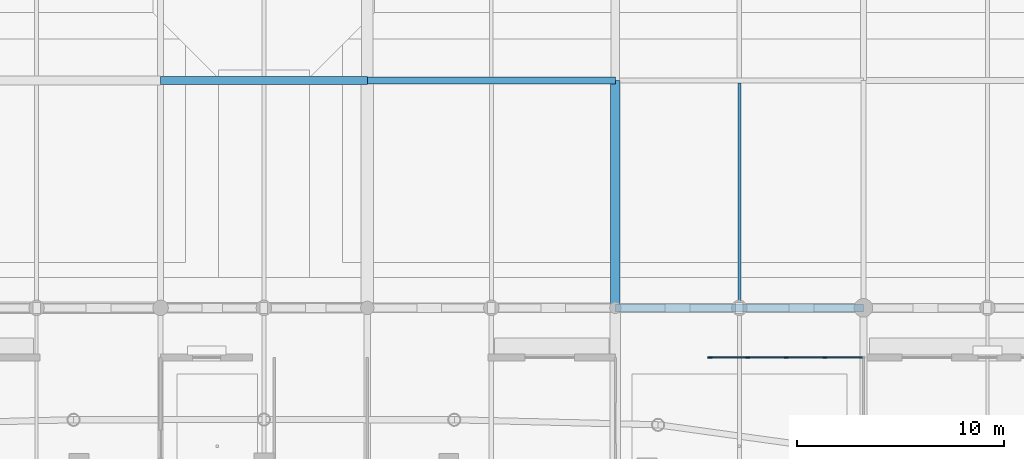
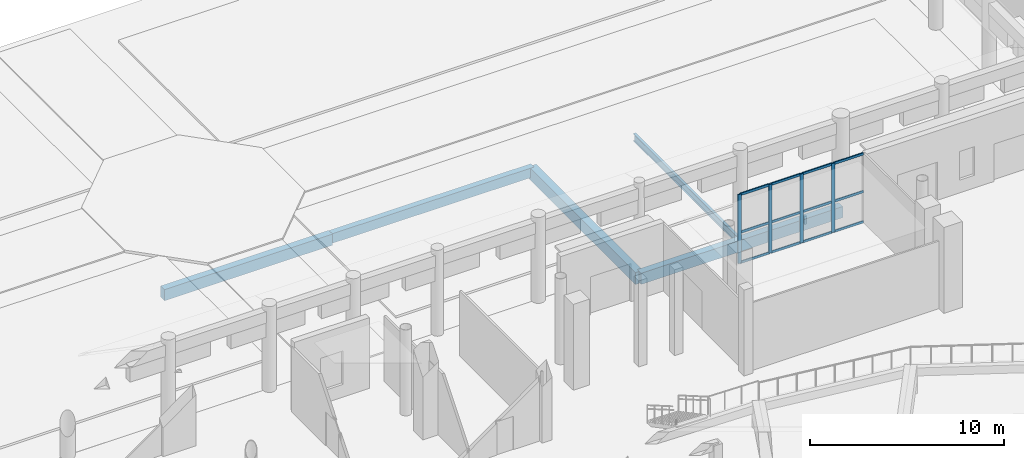
# One storey, part 29 of 120: 16 members, 5 beams, 1 element without a shape of its own.
"""IFC4 building model written with IfcOpenShell, lengths in metres."""

from ifc_helpers import new_model, si_unit, direction, frame, origin, origin_2d, place, context, subcontext, project, spatial, rectangle, i_section, extrude, material, material_profile, profile_set, type_object, element, aggregate, save


model = new_model("IFC4")

# Units and contexts
model_context = context("Model", 3, precision=1e-05, world=origin(), true_north=direction((0.0, 1.0)))
body_context = subcontext(model_context, "Body", "Model", "MODEL_VIEW")
ifc_project = project(units=[si_unit("LENGTHUNIT", "METRE"), si_unit("AREAUNIT", "SQUARE_METRE"), si_unit("VOLUMEUNIT", "CUBIC_METRE"), si_unit("PLANEANGLEUNIT", "RADIAN"), si_unit("MASSUNIT", "GRAM", prefix="KILO")], contexts=[model_context])

# Site, building, storey
site_placement = place(None, origin())
site = spatial("IfcSite", under=ifc_project, at=site_placement, CompositionType="ELEMENT")
building_placement = place(site_placement, origin())
building = spatial("IfcBuilding", under=site, at=building_placement, Name="Luwafu Chhajja Arena", CompositionType="ELEMENT")
storey_placement = place(building_placement, origin())
storey = spatial("IfcBuildingStorey", under=building, at=storey_placement, Name="L00", CompositionType="ELEMENT", Elevation=0.0)

# Beam
ifc_material_1 = material(Name="Concrete C35/45", Category="concrete")
ifc_material_profile_1 = material_profile(ifc_material_1, rectangle(XDim=0.35009765625, YDim=0.60009765625, at=origin_2d()), Name="RC 350x600")
ifc_profile_set_1 = profile_set([ifc_material_profile_1], Name="Concrete C35/45")
beam_type_1 = type_object("IfcBeamType", Name="Arcade Tie Beam RC 350x600", PredefinedType="BEAM", material=ifc_profile_set_1)
beam_1_placement = place(storey_placement, frame((104.0, 110.0, -0.64990234375), z_axis=(1.0, 0.0, 0.0), x_axis=(0.0, 1.0, 0.0)))
element("IfcBeam", 1, at=beam_1_placement, inside=storey, type_object=beam_type_1, Name="L00 Grid Beam 10-11/L", PredefinedType="BEAM", context=body_context, shape_type="SweptSolid", body=[
    extrude(rectangle(XDim=0.35009765625, YDim=0.60009765625, at=origin_2d()), origin(), (0.0, 0.0, 1.0), 12.0),
])

# Curtain wall, members
ifc_material_2 = material(Name="Anodised bronze aluminium", Category="aluminium")
curtain_wall_type = type_object("IfcCurtainWallType", Name="VIP Club Terrace Curtain Wall", PredefinedType="USERDEFINED", material=ifc_material_2)
curtain_wall_placement = place(storey_placement, origin())
curtain_wall = element("IfcCurtainWall", 2, at=curtain_wall_placement, inside=storey, type_object=curtain_wall_type, Name="L00 Curtain Wall CWG-L00-H10_09", ObjectType="CURTAIN WALL", PredefinedType="USERDEFINED")
ifc_material_profile_2 = material_profile(ifc_material_2, rectangle(XDim=0.06494140625, YDim=0.199951171875, at=origin_2d()), Name="CWM 65x200")
ifc_profile_set_2 = profile_set([ifc_material_profile_2], Name="Anodised bronze aluminium")
member_type_1 = type_object("IfcMemberType", Name="Bronze Curtain Wall Mullion 65x200", PredefinedType="MULLION", material=ifc_profile_set_2)
member_1_placement = place(storey_placement, frame((120.574951171875, 96.60009765625, 0.030029296875), z_axis=(0.0, 0.0, 1.0), x_axis=(0.0, 1.0, 0.0)))
member_1 = element("IfcMember", 3, at=member_1_placement, type_object=member_type_1, Name="CW-10 mullion 1", PredefinedType="MULLION", context=body_context, shape_type="SweptSolid", body=[
    extrude(rectangle(XDim=0.06494140625, YDim=0.199951171875, at=origin_2d()), origin(), (0.0, 0.0, 1.0), 4.33642578125),
])
member_2_placement = place(storey_placement, frame((122.406982421875, 96.60009765625, 0.030029296875), z_axis=(0.0, 0.0, 1.0), x_axis=(0.0, 1.0, 0.0)))
member_2 = element("IfcMember", 4, at=member_2_placement, type_object=member_type_1, Name="CW-10 mullion 2", PredefinedType="MULLION", context=body_context, shape_type="SweptSolid", body=[
    extrude(rectangle(XDim=0.06494140625, YDim=0.199951171875, at=origin_2d()), origin(), (0.0, 0.0, 1.0), 4.33642578125),
])
member_3_placement = place(storey_placement, frame((124.271240234375, 96.60009765625, 0.030029296875), z_axis=(0.0, 0.0, 1.0), x_axis=(0.0, 1.0, 0.0)))
member_3 = element("IfcMember", 5, at=member_3_placement, type_object=member_type_1, Name="CW-10 mullion 3", PredefinedType="MULLION", context=body_context, shape_type="SweptSolid", body=[
    extrude(rectangle(XDim=0.06494140625, YDim=0.199951171875, at=origin_2d()), origin(), (0.0, 0.0, 1.0), 4.33642578125),
])
member_4_placement = place(storey_placement, frame((126.1357421875, 96.60009765625, 0.030029296875), z_axis=(0.0, 0.0, 1.0), x_axis=(0.0, 1.0, 0.0)))
member_4 = element("IfcMember", 6, at=member_4_placement, type_object=member_type_1, Name="CW-10 mullion 4", PredefinedType="MULLION", context=body_context, shape_type="SweptSolid", body=[
    extrude(rectangle(XDim=0.06494140625, YDim=0.199951171875, at=origin_2d()), origin(), (0.0, 0.0, 1.0), 4.33642578125),
])
ifc_material_profile_3 = material_profile(ifc_material_2, rectangle(XDim=0.06494140625, YDim=0.14990234375, at=origin_2d()), Name="CWT 65x150")
ifc_profile_set_3 = profile_set([ifc_material_profile_3], Name="Anodised bronze aluminium")
member_type_2 = type_object("IfcMemberType", Name="Bronze Curtain Wall Transom 65x150", PredefinedType="USERDEFINED", material=ifc_profile_set_3)
member_5_placement = place(storey_placement, frame((120.607421875, 96.60009765625, 0.0625), z_axis=(1.0, 0.0, 0.0), x_axis=(0.0, 1.0, 0.0)))
member_5 = element("IfcMember", 7, at=member_5_placement, type_object=member_type_2, Name="CW-10 transom 1.1", ObjectType="TRANSOM", PredefinedType="USERDEFINED", context=body_context, shape_type="SweptSolid", body=[
    extrude(rectangle(XDim=0.06494140625, YDim=0.14990234375, at=origin_2d()), origin(), (0.0, 0.0, 1.0), 1.766845703125),
])
member_6_placement = place(storey_placement, frame((120.607421875, 96.60009765625, 1.96484375), z_axis=(1.0, 0.0, 0.0), x_axis=(0.0, 1.0, 0.0)))
member_6 = element("IfcMember", 8, at=member_6_placement, type_object=member_type_2, Name="CW-10 transom 1.2", ObjectType="TRANSOM", PredefinedType="USERDEFINED", context=body_context, shape_type="SweptSolid", body=[
    extrude(rectangle(XDim=0.06494140625, YDim=0.14990234375, at=origin_2d()), origin(), (0.0, 0.0, 1.0), 1.766845703125),
])
member_7_placement = place(storey_placement, frame((120.607421875, 96.60009765625, 4.333984375), z_axis=(1.0, 0.0, 0.0), x_axis=(0.0, 1.0, 0.0)))
member_7 = element("IfcMember", 9, at=member_7_placement, type_object=member_type_2, Name="CW-10 transom 1.3", ObjectType="TRANSOM", PredefinedType="USERDEFINED", context=body_context, shape_type="SweptSolid", body=[
    extrude(rectangle(XDim=0.06494140625, YDim=0.14990234375, at=origin_2d()), origin(), (0.0, 0.0, 1.0), 1.766845703125),
])
member_8_placement = place(storey_placement, frame((122.439453125, 96.60009765625, 0.0625), z_axis=(1.0, 0.0, 0.0), x_axis=(0.0, 1.0, 0.0)))
member_8 = element("IfcMember", 10, at=member_8_placement, type_object=member_type_2, Name="CW-10 transom 2.1", ObjectType="TRANSOM", PredefinedType="USERDEFINED", context=body_context, shape_type="SweptSolid", body=[
    extrude(rectangle(XDim=0.06494140625, YDim=0.14990234375, at=origin_2d()), origin(), (0.0, 0.0, 1.0), 1.79931640625),
])
member_9_placement = place(storey_placement, frame((122.439453125, 96.60009765625, 1.96484375), z_axis=(1.0, 0.0, 0.0), x_axis=(0.0, 1.0, 0.0)))
member_9 = element("IfcMember", 11, at=member_9_placement, type_object=member_type_2, Name="CW-10 transom 2.2", ObjectType="TRANSOM", PredefinedType="USERDEFINED", context=body_context, shape_type="SweptSolid", body=[
    extrude(rectangle(XDim=0.06494140625, YDim=0.14990234375, at=origin_2d()), origin(), (0.0, 0.0, 1.0), 1.79931640625),
])
member_10_placement = place(storey_placement, frame((122.439453125, 96.60009765625, 4.333984375), z_axis=(1.0, 0.0, 0.0), x_axis=(0.0, 1.0, 0.0)))
member_10 = element("IfcMember", 12, at=member_10_placement, type_object=member_type_2, Name="CW-10 transom 2.3", ObjectType="TRANSOM", PredefinedType="USERDEFINED", context=body_context, shape_type="SweptSolid", body=[
    extrude(rectangle(XDim=0.06494140625, YDim=0.14990234375, at=origin_2d()), origin(), (0.0, 0.0, 1.0), 1.79931640625),
])
member_11_placement = place(storey_placement, frame((124.3037109375, 96.60009765625, 0.0625), z_axis=(1.0, 0.0, 0.0), x_axis=(0.0, 1.0, 0.0)))
member_11 = element("IfcMember", 13, at=member_11_placement, type_object=member_type_2, Name="CW-10 transom 3.1", ObjectType="TRANSOM", PredefinedType="USERDEFINED", context=body_context, shape_type="SweptSolid", body=[
    extrude(rectangle(XDim=0.06494140625, YDim=0.14990234375, at=origin_2d()), origin(), (0.0, 0.0, 1.0), 1.79931640625),
])
member_12_placement = place(storey_placement, frame((124.3037109375, 96.60009765625, 1.96484375), z_axis=(1.0, 0.0, 0.0), x_axis=(0.0, 1.0, 0.0)))
member_12 = element("IfcMember", 14, at=member_12_placement, type_object=member_type_2, Name="CW-10 transom 3.2", ObjectType="TRANSOM", PredefinedType="USERDEFINED", context=body_context, shape_type="SweptSolid", body=[
    extrude(rectangle(XDim=0.06494140625, YDim=0.14990234375, at=origin_2d()), origin(), (0.0, 0.0, 1.0), 1.79931640625),
])
member_13_placement = place(storey_placement, frame((124.3037109375, 96.60009765625, 4.333984375), z_axis=(1.0, 0.0, 0.0), x_axis=(0.0, 1.0, 0.0)))
member_13 = element("IfcMember", 15, at=member_13_placement, type_object=member_type_2, Name="CW-10 transom 3.3", ObjectType="TRANSOM", PredefinedType="USERDEFINED", context=body_context, shape_type="SweptSolid", body=[
    extrude(rectangle(XDim=0.06494140625, YDim=0.14990234375, at=origin_2d()), origin(), (0.0, 0.0, 1.0), 1.79931640625),
])
member_14_placement = place(storey_placement, frame((126.168212890625, 96.60009765625, 0.0625), z_axis=(1.0, 0.0, 0.0), x_axis=(0.0, 1.0, 0.0)))
member_14 = element("IfcMember", 16, at=member_14_placement, type_object=member_type_2, Name="CW-10 transom 4.1", ObjectType="TRANSOM", PredefinedType="USERDEFINED", context=body_context, shape_type="SweptSolid", body=[
    extrude(rectangle(XDim=0.06494140625, YDim=0.14990234375, at=origin_2d()), origin(), (0.0, 0.0, 1.0), 1.766845703125),
])
member_15_placement = place(storey_placement, frame((126.168212890625, 96.60009765625, 1.96484375), z_axis=(1.0, 0.0, 0.0), x_axis=(0.0, 1.0, 0.0)))
member_15 = element("IfcMember", 17, at=member_15_placement, type_object=member_type_2, Name="CW-10 transom 4.2", ObjectType="TRANSOM", PredefinedType="USERDEFINED", context=body_context, shape_type="SweptSolid", body=[
    extrude(rectangle(XDim=0.06494140625, YDim=0.14990234375, at=origin_2d()), origin(), (0.0, 0.0, 1.0), 1.766845703125),
])
member_16_placement = place(storey_placement, frame((126.168212890625, 96.60009765625, 4.333984375), z_axis=(1.0, 0.0, 0.0), x_axis=(0.0, 1.0, 0.0)))
member_16 = element("IfcMember", 18, at=member_16_placement, type_object=member_type_2, Name="CW-10 transom 4.3", ObjectType="TRANSOM", PredefinedType="USERDEFINED", context=body_context, shape_type="SweptSolid", body=[
    extrude(rectangle(XDim=0.06494140625, YDim=0.14990234375, at=origin_2d()), origin(), (0.0, 0.0, 1.0), 1.766845703125),
])
aggregate(curtain_wall, [member_1, member_2, member_3, member_4, member_5, member_6, member_7, member_8, member_9, member_10, member_11, member_12, member_13, member_14, member_15, member_16])

# Beams
ifc_material_3 = material(Name="Steel S355", Category="steel")
ifc_material_profile_4 = material_profile(ifc_material_3, i_section(OverallWidth=0.15283203125, OverallDepth=0.45458984375, WebThickness=0.008056640625, FlangeThickness=0.01318359375, at=origin_2d()), Name="UB 457x152x60")
ifc_profile_set_4 = profile_set([ifc_material_profile_4], Name="Steel S355")
beam_type_2 = type_object("IfcBeamType", Name="Floor Joist UB 457x152x60", PredefinedType="JOIST", material=ifc_profile_set_4)
beam_2_placement = place(storey_placement, frame((122.0, 99.199951171875, -0.577392578125), z_axis=(0.0, 1.0, 0.0), x_axis=(-1.0, 0.0, 0.0)))
element("IfcBeam", 19, at=beam_2_placement, inside=storey, type_object=beam_type_2, Name="L00 Secondary Joist 11-12/K", PredefinedType="JOIST", context=body_context, shape_type="SweptSolid", body=[
    extrude(i_section(OverallWidth=0.15283203125, OverallDepth=0.45458984375, WebThickness=0.008056640625, FlangeThickness=0.01318359375, at=origin_2d()), origin(), (0.0, 0.0, 1.0), 10.673095703125),
])
ifc_material_profile_5 = material_profile(ifc_material_1, rectangle(XDim=0.39990234375, YDim=0.699951171875, at=origin_2d()), Name="RC 400x700")
ifc_profile_set_5 = profile_set([ifc_material_profile_5], Name="Concrete C35/45")
beam_type_3 = type_object("IfcBeamType", Name="Wing Frame Beam RC 400x700", PredefinedType="BEAM", material=ifc_profile_set_5)
beam_3_placement = place(storey_placement, frame((94.0, 110.0, -0.699951171875), z_axis=(1.0, 0.0, 0.0), x_axis=(0.0, 1.0, 0.0)))
element("IfcBeam", 20, at=beam_3_placement, inside=storey, type_object=beam_type_3, Name="L00 Grid Beam 9-10/L", PredefinedType="BEAM", context=body_context, shape_type="SweptSolid", body=[
    extrude(rectangle(XDim=0.39990234375, YDim=0.699951171875, at=origin_2d()), origin(), (0.0, 0.0, 1.0), 10.0),
])
beam_4_placement = place(storey_placement, frame((116.0, 99.0, -0.699951171875), z_axis=(1.0, 0.0, 0.0), x_axis=(0.0, 1.0, 0.0)))
element("IfcBeam", 21, at=beam_4_placement, inside=storey, type_object=beam_type_3, Name="L00 Grid Beam 11-12/K", PredefinedType="BEAM", context=body_context, shape_type="SweptSolid", body=[
    extrude(rectangle(XDim=0.39990234375, YDim=0.699951171875, at=origin_2d()), origin(), (0.0, 0.0, 1.0), 12.0),
])
ifc_material_profile_6 = material_profile(ifc_material_1, rectangle(XDim=0.449951171875, YDim=0.75, at=origin_2d()), Name="RC 450x750")
ifc_profile_set_6 = profile_set([ifc_material_profile_6], Name="Concrete C35/45")
beam_type_4 = type_object("IfcBeamType", Name="Wing Primary Beam RC 450x750", PredefinedType="BEAM", material=ifc_profile_set_6)
beam_5_placement = place(storey_placement, frame((116.0, 99.0, -0.72509765625), z_axis=(0.0, 1.0, 0.0), x_axis=(-1.0, 0.0, 0.0)))
element("IfcBeam", 22, at=beam_5_placement, inside=storey, type_object=beam_type_4, Name="L00 Grid Beam 11/K-L", PredefinedType="BEAM", context=body_context, shape_type="SweptSolid", body=[
    extrude(rectangle(XDim=0.449951171875, YDim=0.75, at=origin_2d()), origin(), (0.0, 0.0, 1.0), 11.0),
])

save(model, "model.ifc")
